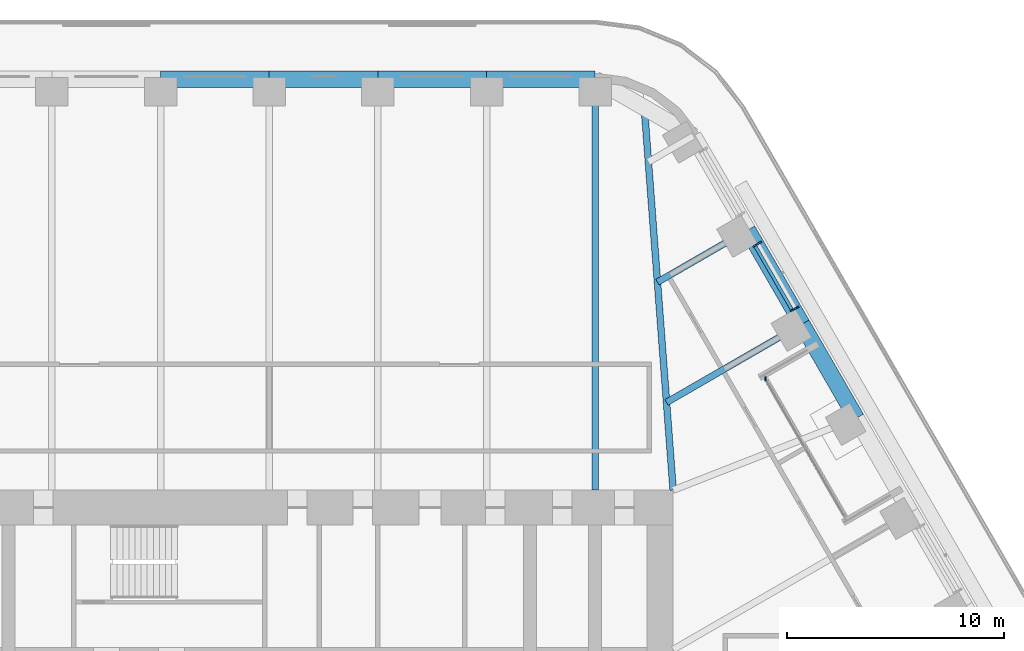
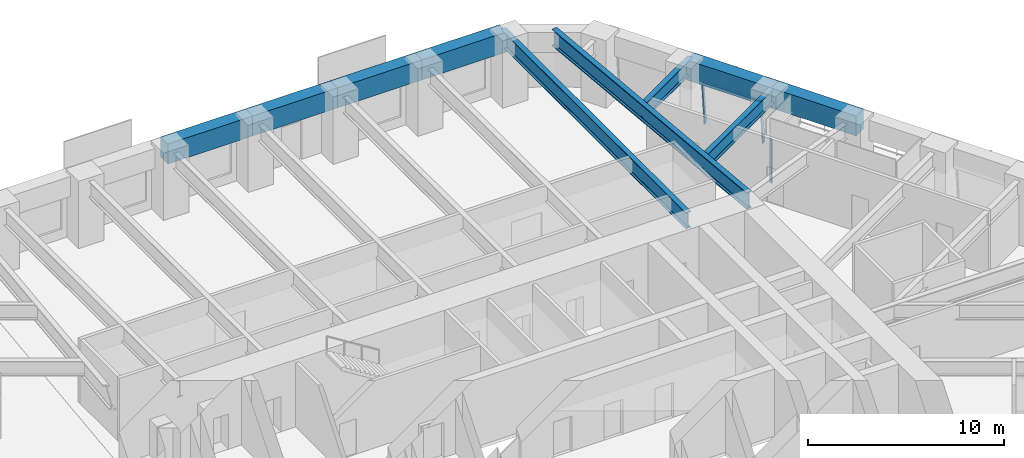
# One storey, part 12 of 24: 10 beams, 4 members, 2 elements without a shape of their own.
"""IFC4 building model written with IfcOpenShell, lengths in metres."""

from ifc_helpers import new_model, si_unit, direction, frame, origin, origin_2d, place, context, subcontext, project, spatial, rectangle, i_section, extrude, material, material_profile, profile_set, type_object, element, aggregate, save


model = new_model("IFC4")

# Units and contexts
model_context = context("Model", 3, precision=1e-05, world=origin(), true_north=direction((0.0, 1.0)))
body_context = subcontext(model_context, "Body", "Model", "MODEL_VIEW")
ifc_project = project(units=[si_unit("LENGTHUNIT", "METRE"), si_unit("AREAUNIT", "SQUARE_METRE"), si_unit("VOLUMEUNIT", "CUBIC_METRE"), si_unit("PLANEANGLEUNIT", "RADIAN"), si_unit("MASSUNIT", "GRAM", prefix="KILO")], contexts=[model_context])

# Site, building, storey
site_placement = place(None, origin())
site = spatial("IfcSite", under=ifc_project, at=site_placement, CompositionType="ELEMENT")
building_placement = place(site_placement, origin())
building = spatial("IfcBuilding", under=site, at=building_placement, Name="Tarfa Lantern Tower", CompositionType="ELEMENT")
storey_placement = place(building_placement, frame((0.0, 0.0, 186.699951171875)))
storey = spatial("IfcBuildingStorey", under=building, at=storey_placement, Name="L42", CompositionType="ELEMENT", Elevation=186.699951171875)

# Curtain wall, members
ifc_material_1 = material(Name="Aluminium framed curtain wall", Category="aluminium")
curtain_wall_type_1 = type_object("IfcCurtainWallType", Name="CW2 CANTED GLAZING MID ZONE 2750", PredefinedType="USERDEFINED", material=ifc_material_1)
curtain_wall_1_placement = place(storey_placement, origin())
curtain_wall_1 = element("IfcCurtainWall", 1, at=curtain_wall_1_placement, inside=storey, type_object=curtain_wall_type_1, Name="CW2 NEB L42", ObjectType="CURTAIN WALL", PredefinedType="USERDEFINED")
ifc_material_2 = material(Name="Aluminium mullion", Category="aluminium")
ifc_material_profile_1 = material_profile(ifc_material_2, rectangle(XDim=0.06494140625, YDim=0.199951171875, at=origin_2d()), Name="AL MULLION 65x200")
ifc_profile_set_1 = profile_set([ifc_material_profile_1], Name="Aluminium mullion")
member_type_1 = type_object("IfcMemberType", Name="CWM1 MULLION 65x200", PredefinedType="MULLION", material=ifc_profile_set_1)
member_1_placement = place(storey_placement, frame((24.300048828125, 20.7109375, 0.0), z_axis=(-0.078422950161, -0.045267813396, 0.995891894715), x_axis=(0.499919672301, -0.866071776036, 0.0)))
member_1 = element("IfcMember", 2, at=member_1_placement, type_object=member_type_1, Name="CW2 mullion 1", PredefinedType="MULLION", context=body_context, shape_type="SweptSolid", body=[
    extrude(rectangle(XDim=0.06494140625, YDim=0.199951171875, at=origin_2d()), origin(), (0.0, 0.0, 1.0), 2.76123046875),
])
member_2_placement = place(storey_placement, frame((22.580810546875, 23.68896484375, 0.0), z_axis=(-0.078422950161, -0.045267813396, 0.995891894715), x_axis=(0.499919672301, -0.866071776036, 0.0)))
member_2 = element("IfcMember", 3, at=member_2_placement, type_object=member_type_1, Name="CW2 mullion 2", PredefinedType="MULLION", context=body_context, shape_type="SweptSolid", body=[
    extrude(rectangle(XDim=0.06494140625, YDim=0.199951171875, at=origin_2d()), origin(), (0.0, 0.0, 1.0), 2.76123046875),
])

# Curtain wall, member
curtain_wall_type_2 = type_object("IfcCurtainWallType", Name="CW10 LOGGIA GLAZING 2750", PredefinedType="USERDEFINED", material=ifc_material_1)
curtain_wall_2_placement = place(storey_placement, origin())
curtain_wall_2 = element("IfcCurtainWall", 4, at=curtain_wall_2_placement, inside=storey, type_object=curtain_wall_type_2, Name="CW10 NEL L42", ObjectType="CURTAIN WALL", PredefinedType="USERDEFINED")
member_3_placement = place(storey_placement, frame((22.84619140625, 17.429443359375, 0.0), z_axis=(0.0, 0.0, 1.0), x_axis=(1.0, 0.0, 0.0)))
member_3 = element("IfcMember", 5, at=member_3_placement, type_object=member_type_1, Name="CW10 mullion 3", PredefinedType="MULLION", context=body_context, shape_type="SweptSolid", body=[
    extrude(rectangle(XDim=0.06494140625, YDim=0.199951171875, at=origin_2d()), origin(), (0.0, 0.0, 1.0), 2.75),
])
aggregate(curtain_wall_2, [member_3])

# Member
ifc_material_3 = material(Name="Aluminium transom", Category="aluminium")
ifc_material_profile_2 = material_profile(ifc_material_3, rectangle(XDim=0.14990234375, YDim=0.06494140625, at=origin_2d()), Name="AL TRANSOM 150x65")
ifc_profile_set_2 = profile_set([ifc_material_profile_2], Name="Aluminium transom")
member_type_2 = type_object("IfcMemberType", Name="CWT1 TRANSOM 150x65", PredefinedType="USERDEFINED", material=ifc_profile_set_2)
member_4_placement = place(storey_placement, frame((24.06982421875, 20.61572265625, 2.717529296875), z_axis=(-0.499991822116, 0.866030125237, 0.0), x_axis=(-0.866030125237, -0.499991822116, 0.0)))
member_4 = element("IfcMember", 6, at=member_4_placement, type_object=member_type_2, Name="CW2 transom 1.2", ObjectType="TRANSOM", PredefinedType="USERDEFINED", context=body_context, shape_type="SweptSolid", body=[
    extrude(rectangle(XDim=0.14990234375, YDim=0.06494140625, at=origin_2d()), origin(), (0.0, 0.0, 1.0), 3.37353515625),
])

aggregate(curtain_wall_1, [member_1, member_2, member_4])

# Beams
ifc_material_4 = material(Name="Concrete C80/95", Category="concrete")
ifc_material_profile_3 = material_profile(ifc_material_4, rectangle(XDim=0.75, YDim=1.25, at=origin_2d()), Name="RC 750x1250")
ifc_profile_set_3 = profile_set([ifc_material_profile_3], Name="Concrete C80/95")
beam_type_1 = type_object("IfcBeamType", Name="EB2 RC 750x1250", PredefinedType="SPANDREL", material=ifc_profile_set_3)
for number, where, z_axis, x_axis, name in (
    (7, (27.037353515625, 15.610107421875, 3.375), (-0.500022324899, 0.866012514114, 0.0), (-0.866012514114, -0.500022324899, 0.0), "Edge beam NE3"),
    (8, (24.535400390625, 19.943359375, 3.375), (-0.49998573051, 0.866033642122, 0.0), (-0.866033642122, -0.49998573051, 0.0), "Edge beam NE4"),
    (9, (15.010986328125, 31.219970703125, 3.375), (-1.0, 0.0, 0.0), (0.0, -1.0, 0.0), "Edge beam N0"),
    (10, (10.00732421875, 31.219970703125, 3.375), (-1.0, 0.0, 0.0), (0.0, -1.0, 0.0), "Edge beam N1"),
    (11, (5.003662109375, 31.219970703125, 3.375), (-1.0, 0.0, 0.0), (0.0, -1.0, 0.0), "Edge beam N2"),
    (12, (0.0, 31.219970703125, 3.375), (-1.0, 0.0, 0.0), (0.0, -1.0, 0.0), "Edge beam N3"),
):
    element("IfcBeam", number, at=place(storey_placement, frame(where, z_axis=z_axis, x_axis=x_axis)), inside=storey, type_object=beam_type_1, Name=name, PredefinedType="SPANDREL", context=body_context, shape_type="SweptSolid", body=[
        extrude(rectangle(XDim=0.75, YDim=1.25, at=origin_2d()), origin(), (0.0, 0.0, 1.0), 5.003662109375),
    ])
ifc_material_5 = material(Name="Steel S460M", Category="steel")
ifc_material_profile_4 = material_profile(ifc_material_5, i_section(OverallWidth=0.302001953125, OverallDepth=1.008056640625, WebThickness=0.02099609375, FlangeThickness=0.0400390625, FilletRadius=0.030029296875, at=origin_2d()), Name="UB1016x305x349")
ifc_profile_set_4 = profile_set([ifc_material_profile_4], Name="Steel S460M")
beam_type_2 = type_object("IfcBeamType", Name="UB1016x305x349", PredefinedType="BEAM", material=ifc_profile_set_4)
beam_1_placement = place(storey_placement, frame((15.010986328125, 31.219970703125, 3.49609375), z_axis=(0.0, -1.0, 0.0), x_axis=(1.0, 0.0, 0.0)))
element("IfcBeam", 13, at=beam_1_placement, inside=storey, type_object=beam_type_2, Name="Floor beam N0", PredefinedType="BEAM", context=body_context, shape_type="SweptSolid", body=[
    extrude(i_section(OverallWidth=0.302001953125, OverallDepth=1.008056640625, WebThickness=0.02099609375, FlangeThickness=0.0400390625, FilletRadius=0.030029296875, at=origin_2d()), origin(), (0.0, 0.0, 1.0), 18.919921875),
])
ifc_material_profile_5 = material_profile(ifc_material_5, i_section(OverallWidth=0.30859375, OverallDepth=1.036376953125, WebThickness=0.030029296875, FlangeThickness=0.05419921875, FilletRadius=0.030029296875, at=origin_2d()), Name="UB1016x305x487")
ifc_profile_set_5 = profile_set([ifc_material_profile_5], Name="Steel S460M")
beam_type_3 = type_object("IfcBeamType", Name="UB1016x305x487", PredefinedType="BEAM", material=ifc_profile_set_5)
beam_2_placement = place(storey_placement, frame((18.60009765625, 12.300048828125, 3.48193359375), z_axis=(-0.075211516041, 0.99716760269, 0.0), x_axis=(-0.99716760269, -0.075211516041, 0.0)))
element("IfcBeam", 14, at=beam_2_placement, inside=storey, type_object=beam_type_3, Name="Hip girder NE", PredefinedType="BEAM", context=body_context, shape_type="SweptSolid", body=[
    extrude(i_section(OverallWidth=0.30859375, OverallDepth=1.036376953125, WebThickness=0.030029296875, FlangeThickness=0.05419921875, FilletRadius=0.030029296875, at=origin_2d()), origin(), (0.0, 0.0, 1.0), 17.6650390625),
])
ifc_material_profile_6 = material_profile(ifc_material_5, i_section(OverallWidth=0.305419921875, OverallDepth=0.91845703125, WebThickness=0.017333984375, FlangeThickness=0.02783203125, FilletRadius=0.01904296875, at=origin_2d()), Name="UB914x305x253")
ifc_profile_set_6 = profile_set([ifc_material_profile_6], Name="Steel S460M")
beam_type_4 = type_object("IfcBeamType", Name="UB914x305x253", PredefinedType="BEAM", material=ifc_profile_set_6)
beam_3_placement = place(storey_placement, frame((24.535400390625, 19.943359375, 3.540771484375), z_axis=(-0.86602647304, -0.499998147991, 0.0), x_axis=(0.499998147991, -0.86602647304, 0.0)))
element("IfcBeam", 15, at=beam_3_placement, inside=storey, type_object=beam_type_4, Name="Floor beam NE4", PredefinedType="BEAM", context=body_context, shape_type="SweptSolid", body=[
    extrude(i_section(OverallWidth=0.305419921875, OverallDepth=0.91845703125, WebThickness=0.017333984375, FlangeThickness=0.02783203125, FilletRadius=0.01904296875, at=origin_2d()), origin(), (0.0, 0.0, 1.0), 7.20556640625),
])
beam_4_placement = place(storey_placement, frame((22.03369140625, 24.276611328125, 3.540771484375), z_axis=(-0.866030550462, -0.499991085587, 0.0), x_axis=(0.499991085587, -0.866030550462, 0.0)))
element("IfcBeam", 16, at=beam_4_placement, inside=storey, type_object=beam_type_4, Name="Floor beam NE5", PredefinedType="BEAM", context=body_context, shape_type="SweptSolid", body=[
    extrude(i_section(OverallWidth=0.305419921875, OverallDepth=0.91845703125, WebThickness=0.017333984375, FlangeThickness=0.02783203125, FilletRadius=0.01904296875, at=origin_2d()), origin(), (0.0, 0.0, 1.0), 4.798828125),
])

save(model, "model.ifc")
